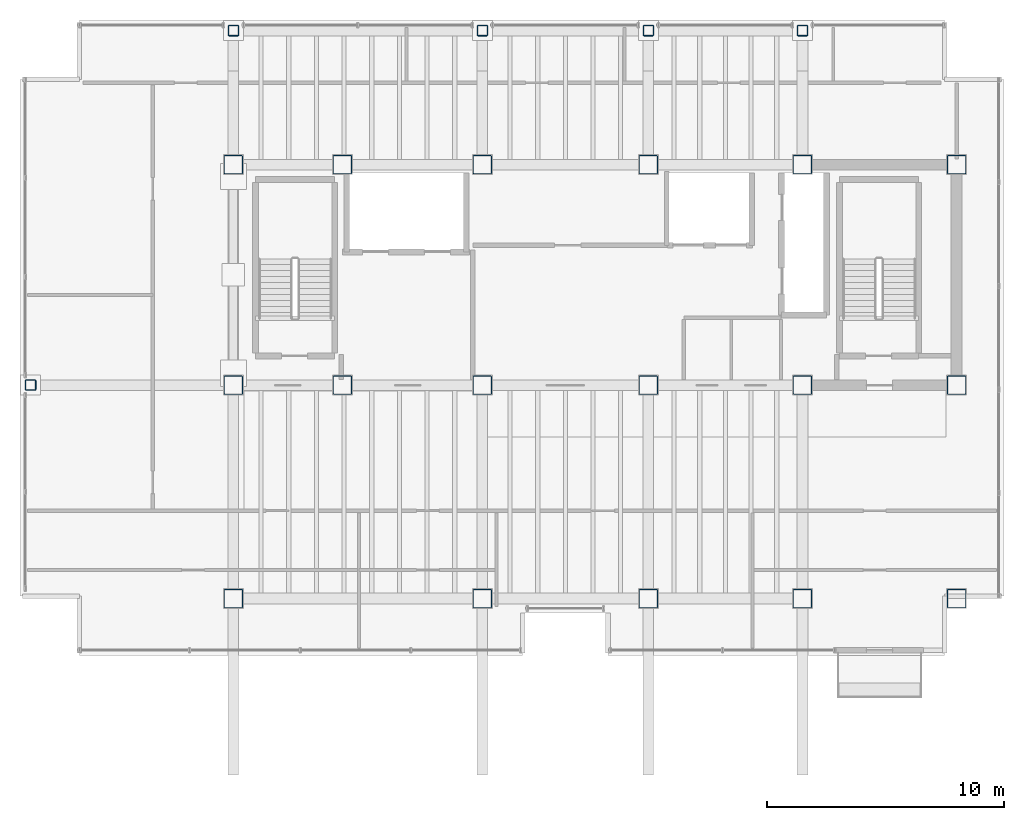
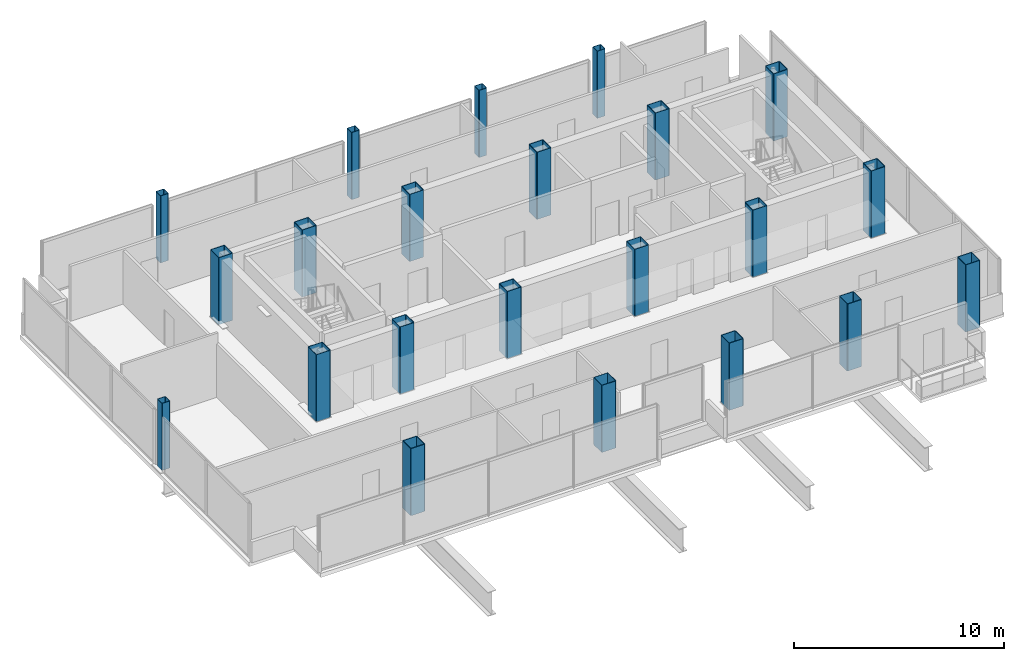
# One storey, part 1 of 19: 22 columns.
"""IFC4 building model written with IfcOpenShell, lengths in metres."""

from ifc_helpers import new_model, si_unit, direction, frame, origin, origin_2d, place, context, subcontext, project, spatial, hollow_rectangle, extrude, material, material_profile, profile_set, type_object, element, save


model = new_model("IFC4")

# Units and contexts
model_context = context("Model", 3, precision=1e-05, world=origin(), true_north=direction((0.0, 1.0)))
body_context = subcontext(model_context, "Body", "Model", "MODEL_VIEW")
ifc_project = project(units=[si_unit("LENGTHUNIT", "METRE"), si_unit("AREAUNIT", "SQUARE_METRE"), si_unit("VOLUMEUNIT", "CUBIC_METRE"), si_unit("PLANEANGLEUNIT", "RADIAN"), si_unit("MASSUNIT", "GRAM", prefix="KILO")], contexts=[model_context])

# Site, building, storey
site_placement = place(None, origin())
site = spatial("IfcSite", under=ifc_project, at=site_placement, CompositionType="ELEMENT")
building_placement = place(site_placement, origin())
building = spatial("IfcBuilding", under=site, at=building_placement, Name="Noeulbin Bourse Tower", CompositionType="ELEMENT")
storey_placement = place(building_placement, frame((0.0, 0.0, 257.89990234375)))
storey = spatial("IfcBuildingStorey", under=building, at=storey_placement, Name="L64", CompositionType="ELEMENT", Elevation=257.89990234375)

# Columns
ifc_material = material(Name="Steel S355", Category="steel")
ifc_material_profile_1 = material_profile(ifc_material, hollow_rectangle(XDim=0.449951171875, YDim=0.449951171875, WallThickness=0.02197265625, InnerFilletRadius=0.02197265625, OuterFilletRadius=0.0439453125, at=origin_2d()), Name="SHS-450x450x22", Category="LoadBearing")
ifc_profile_set_1 = profile_set([ifc_material_profile_1], Name="Steel S355")
column_type_1 = type_object("IfcColumnType", Name="COL-PER-Z3", PredefinedType="COLUMN", material=ifc_profile_set_1)
for number, where, z_axis, x_axis, name in (
    (1, (4.949951171875, 29.0, 0.0), (0.0, 0.0, 1.0), (1.0, 0.0, 0.0), "Tower Perimeter Column COL-PER-Z3 01"),
    (2, (13.5, 43.949951171875, 0.0), (0.0, 0.0, 1.0), (1.0, 0.0, 0.0), "Tower Perimeter Column COL-PER-Z3 02"),
    (3, (24.0, 43.949951171875, 0.0), (0.0, 0.0, 1.0), (1.0, 0.0, 0.0), "Tower Perimeter Column COL-PER-Z3 03"),
    (4, (31.0, 43.949951171875, 0.0), (0.0, 0.0, 1.0), (1.0, 0.0, 0.0), "Tower Perimeter Column COL-PER-Z3 04"),
    (5, (37.5, 43.949951171875, 0.0), (0.0, 0.0, 1.0), (1.0, 0.0, 0.0), "Tower Perimeter Column COL-PER-Z3 05"),
):
    element("IfcColumn", number, at=place(storey_placement, frame(where, z_axis=z_axis, x_axis=x_axis)), inside=storey, type_object=column_type_1, Name=name, PredefinedType="COLUMN", context=body_context, shape_type="SweptSolid", body=[
        extrude(hollow_rectangle(XDim=0.449951171875, YDim=0.449951171875, WallThickness=0.02197265625, InnerFilletRadius=0.02197265625, OuterFilletRadius=0.0439453125, at=origin_2d()), origin(), (0.0, 0.0, 1.0), 3.900146484375),
    ])
ifc_material_profile_2 = material_profile(ifc_material, hollow_rectangle(XDim=0.800048828125, YDim=0.800048828125, WallThickness=0.031982421875, InnerFilletRadius=0.01611328125, OuterFilletRadius=0.048095703125, at=origin_2d()), Name="BOX-800x800x32", Category="LoadBearing")
ifc_profile_set_2 = profile_set([ifc_material_profile_2], Name="Steel S355")
column_type_2 = type_object("IfcColumnType", Name="COL-TRK-Z3", PredefinedType="COLUMN", material=ifc_profile_set_2)
for number, where, z_axis, x_axis, name in (
    (6, (13.5, 29.0, 0.0), (0.0, 0.0, 1.0), (1.0, 0.0, 0.0), "Tower Trunk Mega-Column COL-TRK-Z3 01"),
    (7, (13.5, 38.300048828125, 0.0), (0.0, 0.0, 1.0), (1.0, 0.0, 0.0), "Tower Trunk Mega-Column COL-TRK-Z3 02"),
    (8, (18.10009765625, 29.0, 0.0), (0.0, 0.0, 1.0), (1.0, 0.0, 0.0), "Tower Trunk Mega-Column COL-TRK-Z3 03"),
    (9, (18.10009765625, 38.300048828125, 0.0), (0.0, 0.0, 1.0), (1.0, 0.0, 0.0), "Tower Trunk Mega-Column COL-TRK-Z3 04"),
    (10, (24.0, 29.0, 0.0), (0.0, 0.0, 1.0), (1.0, 0.0, 0.0), "Tower Trunk Mega-Column COL-TRK-Z3 05"),
    (11, (24.0, 38.300048828125, 0.0), (0.0, 0.0, 1.0), (1.0, 0.0, 0.0), "Tower Trunk Mega-Column COL-TRK-Z3 06"),
    (12, (31.0, 29.0, 0.0), (0.0, 0.0, 1.0), (1.0, 0.0, 0.0), "Tower Trunk Mega-Column COL-TRK-Z3 07"),
    (13, (31.0, 38.300048828125, 0.0), (0.0, 0.0, 1.0), (1.0, 0.0, 0.0), "Tower Trunk Mega-Column COL-TRK-Z3 08"),
    (14, (37.5, 29.0, 0.0), (0.0, 0.0, 1.0), (1.0, 0.0, 0.0), "Tower Trunk Mega-Column COL-TRK-Z3 09"),
    (15, (37.5, 38.300048828125, 0.0), (0.0, 0.0, 1.0), (1.0, 0.0, 0.0), "Tower Trunk Mega-Column COL-TRK-Z3 10"),
    (16, (44.0, 29.0, 0.0), (0.0, 0.0, 1.0), (1.0, 0.0, 0.0), "Tower Trunk Mega-Column COL-TRK-Z3 11"),
    (17, (44.0, 38.300048828125, 0.0), (0.0, 0.0, 1.0), (1.0, 0.0, 0.0), "Tower Trunk Mega-Column COL-TRK-Z3 12"),
    (18, (13.5, 20.0, 0.0), (0.0, 0.0, 1.0), (1.0, 0.0, 0.0), "Tower Trunk Mega-Column COL-TRK-Z3 13"),
    (19, (24.0, 20.0, 0.0), (0.0, 0.0, 1.0), (1.0, 0.0, 0.0), "Tower Trunk Mega-Column COL-TRK-Z3 14"),
    (20, (31.0, 20.0, 0.0), (0.0, 0.0, 1.0), (1.0, 0.0, 0.0), "Tower Trunk Mega-Column COL-TRK-Z3 15"),
    (21, (37.5, 20.0, 0.0), (0.0, 0.0, 1.0), (1.0, 0.0, 0.0), "Tower Trunk Mega-Column COL-TRK-Z3 16"),
    (22, (44.0, 20.0, 0.0), (0.0, 0.0, 1.0), (1.0, 0.0, 0.0), "Tower Trunk Mega-Column COL-TRK-Z3 17"),
):
    element("IfcColumn", number, at=place(storey_placement, frame(where, z_axis=z_axis, x_axis=x_axis)), inside=storey, type_object=column_type_2, Name=name, PredefinedType="COLUMN", context=body_context, shape_type="SweptSolid", body=[
        extrude(hollow_rectangle(XDim=0.800048828125, YDim=0.800048828125, WallThickness=0.031982421875, InnerFilletRadius=0.01611328125, OuterFilletRadius=0.048095703125, at=origin_2d()), origin(), (0.0, 0.0, 1.0), 3.900146484375),
    ])

save(model, "model.ifc")
